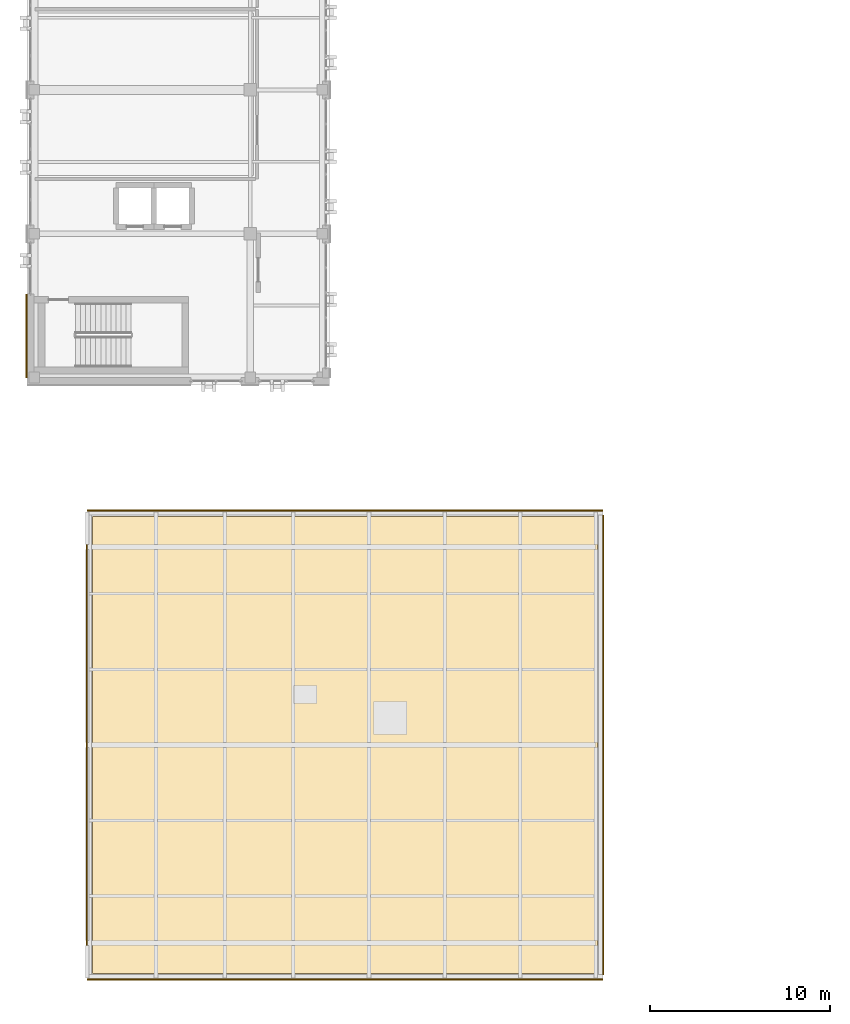
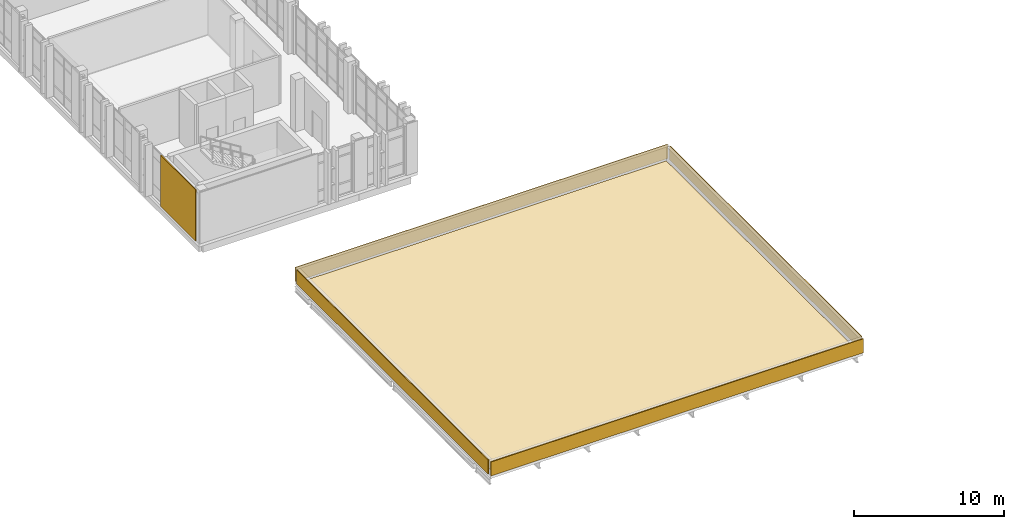
# One storey, part 78 of 90: 6 coverings.
"""IFC4 building model written with IfcOpenShell, lengths in metres."""

from ifc_helpers import new_model, si_unit, direction, frame, origin, origin_2d, place, context, subcontext, project, spatial, polyline, rectangle, outline, extrude, material, layer, layer_set, type_object, element, save


model = new_model("IFC4")

# Units and contexts
model_context = context("Model", 3, precision=1e-05, world=origin(), true_north=direction((0.0, 1.0)))
body_context = subcontext(model_context, "Body", "Model", "MODEL_VIEW")
ifc_project = project(units=[si_unit("LENGTHUNIT", "METRE"), si_unit("AREAUNIT", "SQUARE_METRE"), si_unit("VOLUMEUNIT", "CUBIC_METRE"), si_unit("PLANEANGLEUNIT", "RADIAN"), si_unit("MASSUNIT", "GRAM", prefix="KILO")], contexts=[model_context])

# Site, building, storey
site_placement = place(None, origin())
site = spatial("IfcSite", under=ifc_project, at=site_placement, CompositionType="ELEMENT")
building_placement = place(site_placement, origin())
building = spatial("IfcBuilding", under=site, at=building_placement, Name="Qalavern Law Courts", CompositionType="ELEMENT")
storey_placement = place(building_placement, frame((0.0, 0.0, 22.800048828125)))
storey = spatial("IfcBuildingStorey", under=building, at=storey_placement, Name="L05", CompositionType="ELEMENT", Elevation=22.800048828125)

# Coverings
ifc_material_1 = material(Name="Precast concrete C40/50", Category="concrete")
ifc_layer_1 = layer(ifc_material_1, 0.06005859375)
ifc_layer_set_1 = layer_set([ifc_layer_1], Name="Precast concrete C40/50")
covering_type_1 = type_object("IfcCoveringType", Name="ENV-CLD-1", PredefinedType="CLADDING", material=ifc_layer_set_1)
covering_1_placement = place(storey_placement, frame((19.675048828125, 7.972900390625, 0.0048828125), z_axis=(0.0, 0.0, 1.0), x_axis=(1.0, 0.0, 0.0)))
element("IfcCovering", 1, at=covering_1_placement, inside=storey, type_object=covering_type_1, Name="V1 Absheron limestone parapet coping L05 S", PredefinedType="CLADDING", context=body_context, shape_type="SweptSolid", body=[
    extrude(rectangle(XDim=28.6298828125, YDim=0.06005859375, at=origin_2d()), origin(), (0.0, 0.0, 1.0), 1.139892578125),
])
covering_2_placement = place(storey_placement, frame((34.027099609375, 21.0, 0.0048828125), z_axis=(0.0, 0.0, 1.0), x_axis=(0.0, 1.0, 0.0)))
element("IfcCovering", 2, at=covering_2_placement, inside=storey, type_object=covering_type_1, Name="V1 Absheron limestone parapet coping L05 E", PredefinedType="CLADDING", context=body_context, shape_type="SweptSolid", body=[
    extrude(rectangle(XDim=25.510009765625, YDim=0.06005859375, at=origin_2d()), origin(), (0.0, 0.0, 1.0), 1.139892578125),
])
covering_3_placement = place(storey_placement, frame((19.675048828125, 34.027099609375, 0.0048828125), z_axis=(0.0, 0.0, 1.0), x_axis=(-1.0, 0.0, 0.0)))
element("IfcCovering", 3, at=covering_3_placement, inside=storey, type_object=covering_type_1, Name="V1 Absheron limestone parapet coping L05 N", PredefinedType="CLADDING", context=body_context, shape_type="SweptSolid", body=[
    extrude(rectangle(XDim=28.6298828125, YDim=0.06005859375, at=origin_2d()), origin(), (0.0, 0.0, 1.0), 1.139892578125),
])
covering_4_placement = place(storey_placement, frame((5.322998046875, 21.0, 0.0048828125), z_axis=(0.0, 0.0, 1.0), x_axis=(0.0, -1.0, 0.0)))
element("IfcCovering", 4, at=covering_4_placement, inside=storey, type_object=covering_type_1, Name="V1 Absheron limestone parapet coping L05 W", PredefinedType="CLADDING", context=body_context, shape_type="SweptSolid", body=[
    extrude(rectangle(XDim=25.510009765625, YDim=0.06005859375, at=origin_2d()), origin(), (0.0, 0.0, 1.0), 1.139892578125),
])
ifc_layer_2 = layer(ifc_material_1, 0.072021484375)
ifc_layer_set_2 = layer_set([ifc_layer_2], Name="Precast concrete C40/50")
covering_type_2 = type_object("IfcCoveringType", Name="ENV-CLD-2", PredefinedType="CLADDING", material=ifc_layer_set_2)
covering_5_placement = place(storey_placement, frame((1.967041015625, 43.72509765625, 0.009765625), z_axis=(0.0, 0.0, 1.0), x_axis=(0.0, -1.0, 0.0)))
element("IfcCovering", 5, at=covering_5_placement, inside=storey, type_object=covering_type_2, Name="V3 Absheron limestone pier facing L05 west 8", PredefinedType="CLADDING", context=body_context, shape_type="SweptSolid", body=[
    extrude(rectangle(XDim=4.6298828125, YDim=0.072021484375, at=origin_2d()), origin(), (0.0, 0.0, 1.0), 4.179931640625),
])
ifc_material_2 = material(Name="EPDM waterproofing membrane and rigid thermal insulation")
ifc_layer_3 = layer(ifc_material_2, 0.090087890625)
ifc_layer_set_3 = layer_set([ifc_layer_3], Name="EPDM waterproofing membrane and rigid thermal insulation")
covering_type_3 = type_object("IfcCoveringType", Name="ENV-RFG-2", PredefinedType="ROOFING", material=ifc_layer_set_3)
covering_6_placement = place(storey_placement, origin())
element("IfcCovering", 6, at=covering_6_placement, inside=storey, type_object=covering_type_3, Name="V1 roof waterproofing and insulation L05", PredefinedType="ROOFING", context=body_context, shape_type="SweptSolid", body=[
    extrude(outline(polyline([(5.64990234375, 8.300048828125), (33.699951171875, 8.300048828125), (33.699951171875, 33.699951171875), (5.64990234375, 33.699951171875), (5.64990234375, 8.300048828125)])), origin(), (0.0, 0.0, 1.0), 0.08984375),
])

save(model, "model.ifc")
